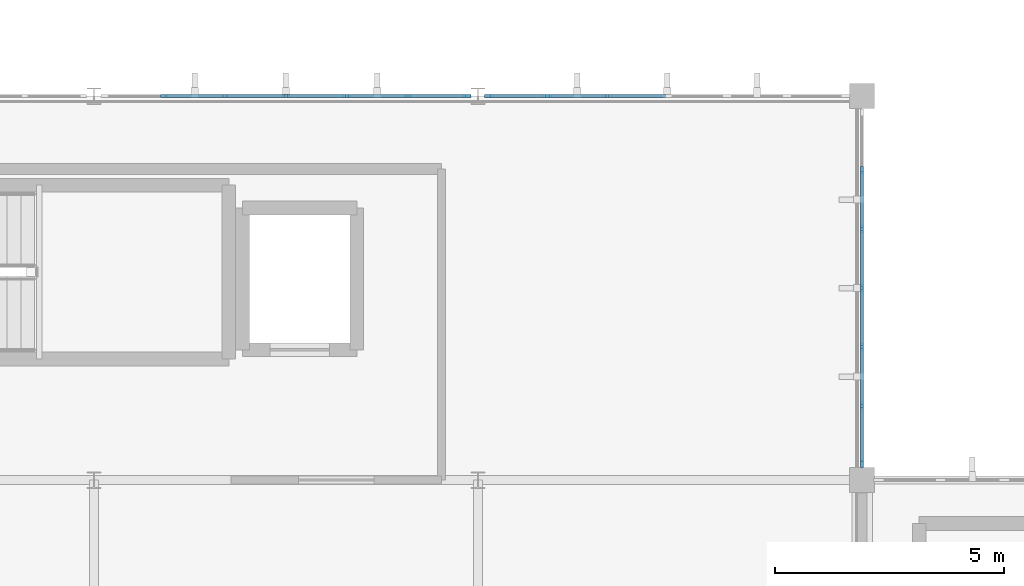
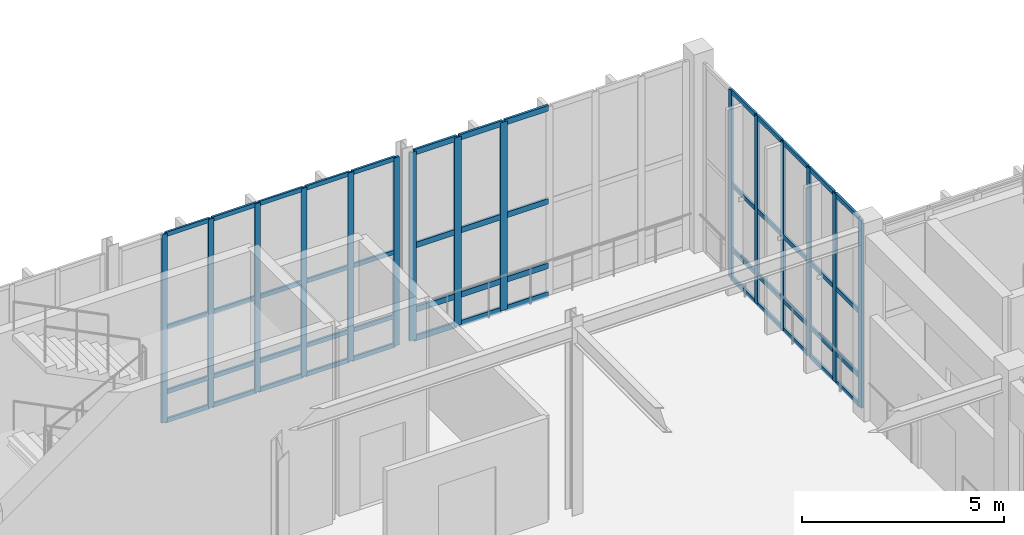
# One storey, part 38 of 105: 67 members, 3 elements without a shape of their own.
"""IFC4 building model written with IfcOpenShell, lengths in metres."""

from ifc_helpers import new_model, si_unit, direction, frame, origin, origin_2d, place, context, subcontext, project, spatial, rectangle, extrude, material, material_profile, profile_set, type_object, element, aggregate, save


model = new_model("IFC4")

# Units and contexts
model_context = context("Model", 3, precision=1e-05, world=origin(), true_north=direction((0.0, 1.0)))
body_context = subcontext(model_context, "Body", "Model", "MODEL_VIEW")
ifc_project = project(units=[si_unit("LENGTHUNIT", "METRE"), si_unit("AREAUNIT", "SQUARE_METRE"), si_unit("VOLUMEUNIT", "CUBIC_METRE"), si_unit("PLANEANGLEUNIT", "RADIAN"), si_unit("MASSUNIT", "GRAM", prefix="KILO")], contexts=[model_context])

# Site, building, storey
site_placement = place(None, origin())
site = spatial("IfcSite", under=ifc_project, at=site_placement, CompositionType="ELEMENT")
building_placement = place(site_placement, origin())
building = spatial("IfcBuilding", under=site, at=building_placement, Name="Tizgana Railside Sports Hall", CompositionType="ELEMENT")
storey_placement = place(building_placement, frame((0.0, 0.0, 6.0)))
storey = spatial("IfcBuildingStorey", under=building, at=storey_placement, Name="L01", CompositionType="ELEMENT", Elevation=6.0)

# Curtain wall, members
ifc_material_1 = material(Name="Anodised aluminium and glass", Category="aluminium")
curtain_wall_type_1 = type_object("IfcCurtainWallType", Name="Unitised Curtain Wall Passage 1800", PredefinedType="NOTDEFINED", material=ifc_material_1)
curtain_wall_1_placement = place(storey_placement, origin())
curtain_wall_1 = element("IfcCurtainWall", 1, at=curtain_wall_1_placement, inside=storey, type_object=curtain_wall_type_1, Name="L01 Curtain Wall CW-0037", PredefinedType="NOTDEFINED")
ifc_material_2 = material(Name="Anodised aluminium", Category="aluminium")
ifc_material_profile_1 = material_profile(ifc_material_2, rectangle(XDim=0.06005859375, YDim=0.159912109375, at=origin_2d()), Name="Mullion 60x160")
ifc_profile_set_1 = profile_set([ifc_material_profile_1], Name="Anodised aluminium")
member_type_1 = type_object("IfcMemberType", Name="Mullion 60x160", PredefinedType="MULLION", material=ifc_profile_set_1)
member_1_placement = place(storey_placement, frame((64.53662109375, 88.800048828125, 0.0), z_axis=(0.0, 0.0, 1.0), x_axis=(0.0, 1.0, 0.0)))
member_1 = element("IfcMember", 2, at=member_1_placement, type_object=member_type_1, Name="CW-06 mullion 2", PredefinedType="MULLION", context=body_context, shape_type="SweptSolid", body=[
    extrude(rectangle(XDim=0.06005859375, YDim=0.159912109375, at=origin_2d()), origin(), (0.0, 0.0, 1.0), 5.68994140625),
])
member_2_placement = place(storey_placement, frame((65.868408203125, 88.800048828125, 0.0), z_axis=(0.0, 0.0, 1.0), x_axis=(0.0, 1.0, 0.0)))
member_2 = element("IfcMember", 3, at=member_2_placement, type_object=member_type_1, Name="CW-06 mullion 3", PredefinedType="MULLION", context=body_context, shape_type="SweptSolid", body=[
    extrude(rectangle(XDim=0.06005859375, YDim=0.159912109375, at=origin_2d()), origin(), (0.0, 0.0, 1.0), 5.68994140625),
])
member_3_placement = place(storey_placement, frame((67.199951171875, 88.800048828125, 0.0), z_axis=(0.0, 0.0, 1.0), x_axis=(0.0, 1.0, 0.0)))
member_3 = element("IfcMember", 4, at=member_3_placement, type_object=member_type_1, Name="CW-06 mullion 4", PredefinedType="MULLION", context=body_context, shape_type="SweptSolid", body=[
    extrude(rectangle(XDim=0.06005859375, YDim=0.159912109375, at=origin_2d()), origin(), (0.0, 0.0, 1.0), 5.68994140625),
])
member_4_placement = place(storey_placement, frame((68.53173828125, 88.800048828125, 0.0), z_axis=(0.0, 0.0, 1.0), x_axis=(0.0, 1.0, 0.0)))
member_4 = element("IfcMember", 5, at=member_4_placement, type_object=member_type_1, Name="CW-06 mullion 5", PredefinedType="MULLION", context=body_context, shape_type="SweptSolid", body=[
    extrude(rectangle(XDim=0.06005859375, YDim=0.159912109375, at=origin_2d()), origin(), (0.0, 0.0, 1.0), 5.68994140625),
])
member_5_placement = place(storey_placement, frame((69.86328125, 88.800048828125, 0.0), z_axis=(0.0, 0.0, 1.0), x_axis=(0.0, 1.0, 0.0)))
member_5 = element("IfcMember", 6, at=member_5_placement, type_object=member_type_1, Name="CW-06 mullion 6", PredefinedType="MULLION", context=body_context, shape_type="SweptSolid", body=[
    extrude(rectangle(XDim=0.06005859375, YDim=0.159912109375, at=origin_2d()), origin(), (0.0, 0.0, 1.0), 5.68994140625),
])
member_6_placement = place(storey_placement, frame((71.1650390625, 88.800048828125, 0.0), z_axis=(0.0, 0.0, 1.0), x_axis=(0.0, 1.0, 0.0)))
member_6 = element("IfcMember", 7, at=member_6_placement, type_object=member_type_1, Name="CW-06 mullion 7", PredefinedType="MULLION", context=body_context, shape_type="SweptSolid", body=[
    extrude(rectangle(XDim=0.06005859375, YDim=0.159912109375, at=origin_2d()), origin(), (0.0, 0.0, 1.0), 5.68994140625),
])

curtain_wall_type_2 = type_object("IfcCurtainWallType", Name="Unitised Curtain Wall Foyer 1300", PredefinedType="NOTDEFINED", material=ifc_material_1)
curtain_wall_2_placement = place(storey_placement, origin())
curtain_wall_2 = element("IfcCurtainWall", 8, at=curtain_wall_2_placement, inside=storey, type_object=curtain_wall_type_2, Name="L01 Curtain Wall CW-0169", PredefinedType="NOTDEFINED")
member_7_placement = place(storey_placement, frame((79.800048828125, 80.760009765625, 0.0), z_axis=(0.0, 0.0, 1.0), x_axis=(-1.0, 0.0, 0.0)))
member_7 = element("IfcMember", 9, at=member_7_placement, type_object=member_type_1, Name="CW-02 mullion 1", PredefinedType="MULLION", context=body_context, shape_type="SweptSolid", body=[
    extrude(rectangle(XDim=0.06005859375, YDim=0.159912109375, at=origin_2d()), origin(), (0.0, 0.0, 1.0), 5.68994140625),
])
member_8_placement = place(storey_placement, frame((79.800048828125, 82.02001953125, 0.0), z_axis=(0.0, 0.0, 1.0), x_axis=(-1.0, 0.0, 0.0)))
member_8 = element("IfcMember", 10, at=member_8_placement, type_object=member_type_1, Name="CW-02 mullion 2", PredefinedType="MULLION", context=body_context, shape_type="SweptSolid", body=[
    extrude(rectangle(XDim=0.06005859375, YDim=0.159912109375, at=origin_2d()), origin(), (0.0, 0.0, 1.0), 5.68994140625),
])
member_9_placement = place(storey_placement, frame((79.800048828125, 83.31005859375, 0.0), z_axis=(0.0, 0.0, 1.0), x_axis=(-1.0, 0.0, 0.0)))
member_9 = element("IfcMember", 11, at=member_9_placement, type_object=member_type_1, Name="CW-02 mullion 3", PredefinedType="MULLION", context=body_context, shape_type="SweptSolid", body=[
    extrude(rectangle(XDim=0.06005859375, YDim=0.159912109375, at=origin_2d()), origin(), (0.0, 0.0, 1.0), 5.68994140625),
])
member_10_placement = place(storey_placement, frame((79.800048828125, 84.60009765625, 0.0), z_axis=(0.0, 0.0, 1.0), x_axis=(-1.0, 0.0, 0.0)))
member_10 = element("IfcMember", 12, at=member_10_placement, type_object=member_type_1, Name="CW-02 mullion 4", PredefinedType="MULLION", context=body_context, shape_type="SweptSolid", body=[
    extrude(rectangle(XDim=0.06005859375, YDim=0.159912109375, at=origin_2d()), origin(), (0.0, 0.0, 1.0), 5.68994140625),
])
member_11_placement = place(storey_placement, frame((79.800048828125, 85.889892578125, 0.0), z_axis=(0.0, 0.0, 1.0), x_axis=(-1.0, 0.0, 0.0)))
member_11 = element("IfcMember", 13, at=member_11_placement, type_object=member_type_1, Name="CW-02 mullion 5", PredefinedType="MULLION", context=body_context, shape_type="SweptSolid", body=[
    extrude(rectangle(XDim=0.06005859375, YDim=0.159912109375, at=origin_2d()), origin(), (0.0, 0.0, 1.0), 5.68994140625),
])
member_12_placement = place(storey_placement, frame((79.800048828125, 87.179931640625, 0.0), z_axis=(0.0, 0.0, 1.0), x_axis=(-1.0, 0.0, 0.0)))
member_12 = element("IfcMember", 14, at=member_12_placement, type_object=member_type_1, Name="CW-02 mullion 6", PredefinedType="MULLION", context=body_context, shape_type="SweptSolid", body=[
    extrude(rectangle(XDim=0.06005859375, YDim=0.159912109375, at=origin_2d()), origin(), (0.0, 0.0, 1.0), 5.68994140625),
])

curtain_wall_type_3 = type_object("IfcCurtainWallType", Name="Unitised Curtain Wall EastHall 1500", PredefinedType="NOTDEFINED", material=ifc_material_1)
curtain_wall_3_placement = place(storey_placement, origin())
curtain_wall_3 = element("IfcCurtainWall", 15, at=curtain_wall_3_placement, inside=storey, type_object=curtain_wall_type_3, Name="L01 Curtain Wall CW-0039", PredefinedType="NOTDEFINED")
ifc_material_profile_2 = material_profile(ifc_material_2, rectangle(XDim=0.06494140625, YDim=0.199951171875, at=origin_2d()), Name="Mullion 65x200")
ifc_profile_set_2 = profile_set([ifc_material_profile_2], Name="Anodised aluminium")
member_type_2 = type_object("IfcMemberType", Name="Mullion 65x200", PredefinedType="MULLION", material=ifc_profile_set_2)
member_13_placement = place(storey_placement, frame((71.637451171875, 88.800048828125, 0.0), z_axis=(0.0, 0.0, 1.0), x_axis=(0.0, 1.0, 0.0)))
member_13 = element("IfcMember", 16, at=member_13_placement, type_object=member_type_2, Name="CW-08 mullion 1", PredefinedType="MULLION", context=body_context, shape_type="SweptSolid", body=[
    extrude(rectangle(XDim=0.06494140625, YDim=0.199951171875, at=origin_2d()), origin(), (0.0, 0.0, 1.0), 5.68994140625),
])
member_14_placement = place(storey_placement, frame((72.915771484375, 88.800048828125, 0.0), z_axis=(0.0, 0.0, 1.0), x_axis=(0.0, 1.0, 0.0)))
member_14 = element("IfcMember", 17, at=member_14_placement, type_object=member_type_2, Name="CW-08 mullion 2", PredefinedType="MULLION", context=body_context, shape_type="SweptSolid", body=[
    extrude(rectangle(XDim=0.06494140625, YDim=0.199951171875, at=origin_2d()), origin(), (0.0, 0.0, 1.0), 5.68994140625),
])
member_15_placement = place(storey_placement, frame((74.2265625, 88.800048828125, 0.0), z_axis=(0.0, 0.0, 1.0), x_axis=(0.0, 1.0, 0.0)))
member_15 = element("IfcMember", 18, at=member_15_placement, type_object=member_type_2, Name="CW-08 mullion 3", PredefinedType="MULLION", context=body_context, shape_type="SweptSolid", body=[
    extrude(rectangle(XDim=0.06494140625, YDim=0.199951171875, at=origin_2d()), origin(), (0.0, 0.0, 1.0), 5.68994140625),
])

# Member
ifc_material_profile_3 = material_profile(ifc_material_2, rectangle(XDim=0.06005859375, YDim=0.1298828125, at=origin_2d()), Name="Transom 60x130")
ifc_profile_set_3 = profile_set([ifc_material_profile_3], Name="Anodised aluminium")
member_type_3 = type_object("IfcMemberType", Name="Transom 60x130", PredefinedType="USERDEFINED", material=ifc_profile_set_3)
member_16_placement = place(storey_placement, frame((64.566650390625, 88.800048828125, 0.030029296875), z_axis=(1.0, 0.0, 0.0), x_axis=(0.0, 1.0, 0.0)))
member_16 = element("IfcMember", 19, at=member_16_placement, type_object=member_type_3, Name="CW-06 transom 2.1", ObjectType="TRANSOM", PredefinedType="USERDEFINED", context=body_context, shape_type="SweptSolid", body=[
    extrude(rectangle(XDim=0.06005859375, YDim=0.1298828125, at=origin_2d()), origin(), (0.0, 0.0, 1.0), 1.271728515625),
])

member_17_placement = place(storey_placement, frame((64.566650390625, 88.800048828125, 0.89990234375), z_axis=(1.0, 0.0, 0.0), x_axis=(0.0, 1.0, 0.0)))
member_17 = element("IfcMember", 20, at=member_17_placement, type_object=member_type_3, Name="CW-06 transom 2.2", ObjectType="TRANSOM", PredefinedType="USERDEFINED", context=body_context, shape_type="SweptSolid", body=[
    extrude(rectangle(XDim=0.06005859375, YDim=0.1298828125, at=origin_2d()), origin(), (0.0, 0.0, 1.0), 1.271728515625),
])

member_18_placement = place(storey_placement, frame((64.566650390625, 88.800048828125, 2.844970703125), z_axis=(1.0, 0.0, 0.0), x_axis=(0.0, 1.0, 0.0)))
member_18 = element("IfcMember", 21, at=member_18_placement, type_object=member_type_3, Name="CW-06 transom 2.3", ObjectType="TRANSOM", PredefinedType="USERDEFINED", context=body_context, shape_type="SweptSolid", body=[
    extrude(rectangle(XDim=0.06005859375, YDim=0.1298828125, at=origin_2d()), origin(), (0.0, 0.0, 1.0), 1.271728515625),
])

member_19_placement = place(storey_placement, frame((64.566650390625, 88.800048828125, 5.659912109375), z_axis=(1.0, 0.0, 0.0), x_axis=(0.0, 1.0, 0.0)))
member_19 = element("IfcMember", 22, at=member_19_placement, type_object=member_type_3, Name="CW-06 transom 2.4", ObjectType="TRANSOM", PredefinedType="USERDEFINED", context=body_context, shape_type="SweptSolid", body=[
    extrude(rectangle(XDim=0.06005859375, YDim=0.1298828125, at=origin_2d()), origin(), (0.0, 0.0, 1.0), 1.271728515625),
])

member_20_placement = place(storey_placement, frame((65.8984375, 88.800048828125, 0.030029296875), z_axis=(1.0, 0.0, 0.0), x_axis=(0.0, 1.0, 0.0)))
member_20 = element("IfcMember", 23, at=member_20_placement, type_object=member_type_3, Name="CW-06 transom 3.1", ObjectType="TRANSOM", PredefinedType="USERDEFINED", context=body_context, shape_type="SweptSolid", body=[
    extrude(rectangle(XDim=0.06005859375, YDim=0.1298828125, at=origin_2d()), origin(), (0.0, 0.0, 1.0), 1.271484375),
])

member_21_placement = place(storey_placement, frame((65.8984375, 88.800048828125, 0.89990234375), z_axis=(1.0, 0.0, 0.0), x_axis=(0.0, 1.0, 0.0)))
member_21 = element("IfcMember", 24, at=member_21_placement, type_object=member_type_3, Name="CW-06 transom 3.2", ObjectType="TRANSOM", PredefinedType="USERDEFINED", context=body_context, shape_type="SweptSolid", body=[
    extrude(rectangle(XDim=0.06005859375, YDim=0.1298828125, at=origin_2d()), origin(), (0.0, 0.0, 1.0), 1.271484375),
])

member_22_placement = place(storey_placement, frame((65.8984375, 88.800048828125, 2.844970703125), z_axis=(1.0, 0.0, 0.0), x_axis=(0.0, 1.0, 0.0)))
member_22 = element("IfcMember", 25, at=member_22_placement, type_object=member_type_3, Name="CW-06 transom 3.3", ObjectType="TRANSOM", PredefinedType="USERDEFINED", context=body_context, shape_type="SweptSolid", body=[
    extrude(rectangle(XDim=0.06005859375, YDim=0.1298828125, at=origin_2d()), origin(), (0.0, 0.0, 1.0), 1.271484375),
])

member_23_placement = place(storey_placement, frame((65.8984375, 88.800048828125, 5.659912109375), z_axis=(1.0, 0.0, 0.0), x_axis=(0.0, 1.0, 0.0)))
member_23 = element("IfcMember", 26, at=member_23_placement, type_object=member_type_3, Name="CW-06 transom 3.4", ObjectType="TRANSOM", PredefinedType="USERDEFINED", context=body_context, shape_type="SweptSolid", body=[
    extrude(rectangle(XDim=0.06005859375, YDim=0.1298828125, at=origin_2d()), origin(), (0.0, 0.0, 1.0), 1.271484375),
])

member_24_placement = place(storey_placement, frame((67.22998046875, 88.800048828125, 0.030029296875), z_axis=(1.0, 0.0, 0.0), x_axis=(0.0, 1.0, 0.0)))
member_24 = element("IfcMember", 27, at=member_24_placement, type_object=member_type_3, Name="CW-06 transom 4.1", ObjectType="TRANSOM", PredefinedType="USERDEFINED", context=body_context, shape_type="SweptSolid", body=[
    extrude(rectangle(XDim=0.06005859375, YDim=0.1298828125, at=origin_2d()), origin(), (0.0, 0.0, 1.0), 1.271728515625),
])

member_25_placement = place(storey_placement, frame((67.22998046875, 88.800048828125, 0.89990234375), z_axis=(1.0, 0.0, 0.0), x_axis=(0.0, 1.0, 0.0)))
member_25 = element("IfcMember", 28, at=member_25_placement, type_object=member_type_3, Name="CW-06 transom 4.2", ObjectType="TRANSOM", PredefinedType="USERDEFINED", context=body_context, shape_type="SweptSolid", body=[
    extrude(rectangle(XDim=0.06005859375, YDim=0.1298828125, at=origin_2d()), origin(), (0.0, 0.0, 1.0), 1.271728515625),
])

member_26_placement = place(storey_placement, frame((67.22998046875, 88.800048828125, 2.844970703125), z_axis=(1.0, 0.0, 0.0), x_axis=(0.0, 1.0, 0.0)))
member_26 = element("IfcMember", 29, at=member_26_placement, type_object=member_type_3, Name="CW-06 transom 4.3", ObjectType="TRANSOM", PredefinedType="USERDEFINED", context=body_context, shape_type="SweptSolid", body=[
    extrude(rectangle(XDim=0.06005859375, YDim=0.1298828125, at=origin_2d()), origin(), (0.0, 0.0, 1.0), 1.271728515625),
])

member_27_placement = place(storey_placement, frame((67.22998046875, 88.800048828125, 5.659912109375), z_axis=(1.0, 0.0, 0.0), x_axis=(0.0, 1.0, 0.0)))
member_27 = element("IfcMember", 30, at=member_27_placement, type_object=member_type_3, Name="CW-06 transom 4.4", ObjectType="TRANSOM", PredefinedType="USERDEFINED", context=body_context, shape_type="SweptSolid", body=[
    extrude(rectangle(XDim=0.06005859375, YDim=0.1298828125, at=origin_2d()), origin(), (0.0, 0.0, 1.0), 1.271728515625),
])

member_28_placement = place(storey_placement, frame((68.561767578125, 88.800048828125, 0.030029296875), z_axis=(1.0, 0.0, 0.0), x_axis=(0.0, 1.0, 0.0)))
member_28 = element("IfcMember", 31, at=member_28_placement, type_object=member_type_3, Name="CW-06 transom 5.1", ObjectType="TRANSOM", PredefinedType="USERDEFINED", context=body_context, shape_type="SweptSolid", body=[
    extrude(rectangle(XDim=0.06005859375, YDim=0.1298828125, at=origin_2d()), origin(), (0.0, 0.0, 1.0), 1.271484375),
])

member_29_placement = place(storey_placement, frame((68.561767578125, 88.800048828125, 0.89990234375), z_axis=(1.0, 0.0, 0.0), x_axis=(0.0, 1.0, 0.0)))
member_29 = element("IfcMember", 32, at=member_29_placement, type_object=member_type_3, Name="CW-06 transom 5.2", ObjectType="TRANSOM", PredefinedType="USERDEFINED", context=body_context, shape_type="SweptSolid", body=[
    extrude(rectangle(XDim=0.06005859375, YDim=0.1298828125, at=origin_2d()), origin(), (0.0, 0.0, 1.0), 1.271484375),
])

member_30_placement = place(storey_placement, frame((68.561767578125, 88.800048828125, 2.844970703125), z_axis=(1.0, 0.0, 0.0), x_axis=(0.0, 1.0, 0.0)))
member_30 = element("IfcMember", 33, at=member_30_placement, type_object=member_type_3, Name="CW-06 transom 5.3", ObjectType="TRANSOM", PredefinedType="USERDEFINED", context=body_context, shape_type="SweptSolid", body=[
    extrude(rectangle(XDim=0.06005859375, YDim=0.1298828125, at=origin_2d()), origin(), (0.0, 0.0, 1.0), 1.271484375),
])

member_31_placement = place(storey_placement, frame((68.561767578125, 88.800048828125, 5.659912109375), z_axis=(1.0, 0.0, 0.0), x_axis=(0.0, 1.0, 0.0)))
member_31 = element("IfcMember", 34, at=member_31_placement, type_object=member_type_3, Name="CW-06 transom 5.4", ObjectType="TRANSOM", PredefinedType="USERDEFINED", context=body_context, shape_type="SweptSolid", body=[
    extrude(rectangle(XDim=0.06005859375, YDim=0.1298828125, at=origin_2d()), origin(), (0.0, 0.0, 1.0), 1.271484375),
])

member_32_placement = place(storey_placement, frame((69.893310546875, 88.800048828125, 0.030029296875), z_axis=(1.0, 0.0, 0.0), x_axis=(0.0, 1.0, 0.0)))
member_32 = element("IfcMember", 35, at=member_32_placement, type_object=member_type_3, Name="CW-06 transom 6.1", ObjectType="TRANSOM", PredefinedType="USERDEFINED", context=body_context, shape_type="SweptSolid", body=[
    extrude(rectangle(XDim=0.06005859375, YDim=0.1298828125, at=origin_2d()), origin(), (0.0, 0.0, 1.0), 1.24169921875),
])

member_33_placement = place(storey_placement, frame((69.893310546875, 88.800048828125, 0.89990234375), z_axis=(1.0, 0.0, 0.0), x_axis=(0.0, 1.0, 0.0)))
member_33 = element("IfcMember", 36, at=member_33_placement, type_object=member_type_3, Name="CW-06 transom 6.2", ObjectType="TRANSOM", PredefinedType="USERDEFINED", context=body_context, shape_type="SweptSolid", body=[
    extrude(rectangle(XDim=0.06005859375, YDim=0.1298828125, at=origin_2d()), origin(), (0.0, 0.0, 1.0), 1.24169921875),
])

member_34_placement = place(storey_placement, frame((69.893310546875, 88.800048828125, 2.844970703125), z_axis=(1.0, 0.0, 0.0), x_axis=(0.0, 1.0, 0.0)))
member_34 = element("IfcMember", 37, at=member_34_placement, type_object=member_type_3, Name="CW-06 transom 6.3", ObjectType="TRANSOM", PredefinedType="USERDEFINED", context=body_context, shape_type="SweptSolid", body=[
    extrude(rectangle(XDim=0.06005859375, YDim=0.1298828125, at=origin_2d()), origin(), (0.0, 0.0, 1.0), 1.24169921875),
])

member_35_placement = place(storey_placement, frame((69.893310546875, 88.800048828125, 5.659912109375), z_axis=(1.0, 0.0, 0.0), x_axis=(0.0, 1.0, 0.0)))
member_35 = element("IfcMember", 38, at=member_35_placement, type_object=member_type_3, Name="CW-06 transom 6.4", ObjectType="TRANSOM", PredefinedType="USERDEFINED", context=body_context, shape_type="SweptSolid", body=[
    extrude(rectangle(XDim=0.06005859375, YDim=0.1298828125, at=origin_2d()), origin(), (0.0, 0.0, 1.0), 1.24169921875),
])

aggregate(curtain_wall_1, [member_1, member_2, member_3, member_4, member_5, member_6, member_16, member_17, member_18, member_19, member_20, member_21, member_22, member_23, member_24, member_25, member_26, member_27, member_28, member_29, member_30, member_31, member_32, member_33, member_34, member_35])

member_36_placement = place(storey_placement, frame((79.800048828125, 80.7900390625, 0.030029296875), z_axis=(0.0, 1.0, 0.0), x_axis=(-1.0, 0.0, 0.0)))
member_36 = element("IfcMember", 39, at=member_36_placement, type_object=member_type_3, Name="CW-02 transom 1.1", ObjectType="TRANSOM", PredefinedType="USERDEFINED", context=body_context, shape_type="SweptSolid", body=[
    extrude(rectangle(XDim=0.06005859375, YDim=0.1298828125, at=origin_2d()), origin(), (0.0, 0.0, 1.0), 1.199951171875),
])

member_37_placement = place(storey_placement, frame((79.800048828125, 80.7900390625, 0.89990234375), z_axis=(0.0, 1.0, 0.0), x_axis=(-1.0, 0.0, 0.0)))
member_37 = element("IfcMember", 40, at=member_37_placement, type_object=member_type_3, Name="CW-02 transom 1.2", ObjectType="TRANSOM", PredefinedType="USERDEFINED", context=body_context, shape_type="SweptSolid", body=[
    extrude(rectangle(XDim=0.06005859375, YDim=0.1298828125, at=origin_2d()), origin(), (0.0, 0.0, 1.0), 1.199951171875),
])

member_38_placement = place(storey_placement, frame((79.800048828125, 80.7900390625, 2.844970703125), z_axis=(0.0, 1.0, 0.0), x_axis=(-1.0, 0.0, 0.0)))
member_38 = element("IfcMember", 41, at=member_38_placement, type_object=member_type_3, Name="CW-02 transom 1.3", ObjectType="TRANSOM", PredefinedType="USERDEFINED", context=body_context, shape_type="SweptSolid", body=[
    extrude(rectangle(XDim=0.06005859375, YDim=0.1298828125, at=origin_2d()), origin(), (0.0, 0.0, 1.0), 1.199951171875),
])

member_39_placement = place(storey_placement, frame((79.800048828125, 80.7900390625, 5.659912109375), z_axis=(0.0, 1.0, 0.0), x_axis=(-1.0, 0.0, 0.0)))
member_39 = element("IfcMember", 42, at=member_39_placement, type_object=member_type_3, Name="CW-02 transom 1.4", ObjectType="TRANSOM", PredefinedType="USERDEFINED", context=body_context, shape_type="SweptSolid", body=[
    extrude(rectangle(XDim=0.06005859375, YDim=0.1298828125, at=origin_2d()), origin(), (0.0, 0.0, 1.0), 1.199951171875),
])

member_40_placement = place(storey_placement, frame((79.800048828125, 82.050048828125, 0.030029296875), z_axis=(0.0, 1.0, 0.0), x_axis=(-1.0, 0.0, 0.0)))
member_40 = element("IfcMember", 43, at=member_40_placement, type_object=member_type_3, Name="CW-02 transom 2.1", ObjectType="TRANSOM", PredefinedType="USERDEFINED", context=body_context, shape_type="SweptSolid", body=[
    extrude(rectangle(XDim=0.06005859375, YDim=0.1298828125, at=origin_2d()), origin(), (0.0, 0.0, 1.0), 1.22998046875),
])

member_41_placement = place(storey_placement, frame((79.800048828125, 82.050048828125, 0.89990234375), z_axis=(0.0, 1.0, 0.0), x_axis=(-1.0, 0.0, 0.0)))
member_41 = element("IfcMember", 44, at=member_41_placement, type_object=member_type_3, Name="CW-02 transom 2.2", ObjectType="TRANSOM", PredefinedType="USERDEFINED", context=body_context, shape_type="SweptSolid", body=[
    extrude(rectangle(XDim=0.06005859375, YDim=0.1298828125, at=origin_2d()), origin(), (0.0, 0.0, 1.0), 1.22998046875),
])

member_42_placement = place(storey_placement, frame((79.800048828125, 82.050048828125, 2.844970703125), z_axis=(0.0, 1.0, 0.0), x_axis=(-1.0, 0.0, 0.0)))
member_42 = element("IfcMember", 45, at=member_42_placement, type_object=member_type_3, Name="CW-02 transom 2.3", ObjectType="TRANSOM", PredefinedType="USERDEFINED", context=body_context, shape_type="SweptSolid", body=[
    extrude(rectangle(XDim=0.06005859375, YDim=0.1298828125, at=origin_2d()), origin(), (0.0, 0.0, 1.0), 1.22998046875),
])

member_43_placement = place(storey_placement, frame((79.800048828125, 82.050048828125, 5.659912109375), z_axis=(0.0, 1.0, 0.0), x_axis=(-1.0, 0.0, 0.0)))
member_43 = element("IfcMember", 46, at=member_43_placement, type_object=member_type_3, Name="CW-02 transom 2.4", ObjectType="TRANSOM", PredefinedType="USERDEFINED", context=body_context, shape_type="SweptSolid", body=[
    extrude(rectangle(XDim=0.06005859375, YDim=0.1298828125, at=origin_2d()), origin(), (0.0, 0.0, 1.0), 1.22998046875),
])

member_44_placement = place(storey_placement, frame((79.800048828125, 83.340087890625, 0.030029296875), z_axis=(0.0, 1.0, 0.0), x_axis=(-1.0, 0.0, 0.0)))
member_44 = element("IfcMember", 47, at=member_44_placement, type_object=member_type_3, Name="CW-02 transom 3.1", ObjectType="TRANSOM", PredefinedType="USERDEFINED", context=body_context, shape_type="SweptSolid", body=[
    extrude(rectangle(XDim=0.06005859375, YDim=0.1298828125, at=origin_2d()), origin(), (0.0, 0.0, 1.0), 1.22998046875),
])

member_45_placement = place(storey_placement, frame((79.800048828125, 83.340087890625, 0.89990234375), z_axis=(0.0, 1.0, 0.0), x_axis=(-1.0, 0.0, 0.0)))
member_45 = element("IfcMember", 48, at=member_45_placement, type_object=member_type_3, Name="CW-02 transom 3.2", ObjectType="TRANSOM", PredefinedType="USERDEFINED", context=body_context, shape_type="SweptSolid", body=[
    extrude(rectangle(XDim=0.06005859375, YDim=0.1298828125, at=origin_2d()), origin(), (0.0, 0.0, 1.0), 1.22998046875),
])

member_46_placement = place(storey_placement, frame((79.800048828125, 83.340087890625, 2.844970703125), z_axis=(0.0, 1.0, 0.0), x_axis=(-1.0, 0.0, 0.0)))
member_46 = element("IfcMember", 49, at=member_46_placement, type_object=member_type_3, Name="CW-02 transom 3.3", ObjectType="TRANSOM", PredefinedType="USERDEFINED", context=body_context, shape_type="SweptSolid", body=[
    extrude(rectangle(XDim=0.06005859375, YDim=0.1298828125, at=origin_2d()), origin(), (0.0, 0.0, 1.0), 1.22998046875),
])

member_47_placement = place(storey_placement, frame((79.800048828125, 83.340087890625, 5.659912109375), z_axis=(0.0, 1.0, 0.0), x_axis=(-1.0, 0.0, 0.0)))
member_47 = element("IfcMember", 50, at=member_47_placement, type_object=member_type_3, Name="CW-02 transom 3.4", ObjectType="TRANSOM", PredefinedType="USERDEFINED", context=body_context, shape_type="SweptSolid", body=[
    extrude(rectangle(XDim=0.06005859375, YDim=0.1298828125, at=origin_2d()), origin(), (0.0, 0.0, 1.0), 1.22998046875),
])

member_48_placement = place(storey_placement, frame((79.800048828125, 84.6298828125, 0.030029296875), z_axis=(0.0, 1.0, 0.0), x_axis=(-1.0, 0.0, 0.0)))
member_48 = element("IfcMember", 51, at=member_48_placement, type_object=member_type_3, Name="CW-02 transom 4.1", ObjectType="TRANSOM", PredefinedType="USERDEFINED", context=body_context, shape_type="SweptSolid", body=[
    extrude(rectangle(XDim=0.06005859375, YDim=0.1298828125, at=origin_2d()), origin(), (0.0, 0.0, 1.0), 1.230224609375),
])

member_49_placement = place(storey_placement, frame((79.800048828125, 84.6298828125, 0.89990234375), z_axis=(0.0, 1.0, 0.0), x_axis=(-1.0, 0.0, 0.0)))
member_49 = element("IfcMember", 52, at=member_49_placement, type_object=member_type_3, Name="CW-02 transom 4.2", ObjectType="TRANSOM", PredefinedType="USERDEFINED", context=body_context, shape_type="SweptSolid", body=[
    extrude(rectangle(XDim=0.06005859375, YDim=0.1298828125, at=origin_2d()), origin(), (0.0, 0.0, 1.0), 1.230224609375),
])

member_50_placement = place(storey_placement, frame((79.800048828125, 84.6298828125, 2.844970703125), z_axis=(0.0, 1.0, 0.0), x_axis=(-1.0, 0.0, 0.0)))
member_50 = element("IfcMember", 53, at=member_50_placement, type_object=member_type_3, Name="CW-02 transom 4.3", ObjectType="TRANSOM", PredefinedType="USERDEFINED", context=body_context, shape_type="SweptSolid", body=[
    extrude(rectangle(XDim=0.06005859375, YDim=0.1298828125, at=origin_2d()), origin(), (0.0, 0.0, 1.0), 1.230224609375),
])

member_51_placement = place(storey_placement, frame((79.800048828125, 84.6298828125, 5.659912109375), z_axis=(0.0, 1.0, 0.0), x_axis=(-1.0, 0.0, 0.0)))
member_51 = element("IfcMember", 54, at=member_51_placement, type_object=member_type_3, Name="CW-02 transom 4.4", ObjectType="TRANSOM", PredefinedType="USERDEFINED", context=body_context, shape_type="SweptSolid", body=[
    extrude(rectangle(XDim=0.06005859375, YDim=0.1298828125, at=origin_2d()), origin(), (0.0, 0.0, 1.0), 1.230224609375),
])

member_52_placement = place(storey_placement, frame((79.800048828125, 85.919921875, 0.030029296875), z_axis=(0.0, 1.0, 0.0), x_axis=(-1.0, 0.0, 0.0)))
member_52 = element("IfcMember", 55, at=member_52_placement, type_object=member_type_3, Name="CW-02 transom 5.1", ObjectType="TRANSOM", PredefinedType="USERDEFINED", context=body_context, shape_type="SweptSolid", body=[
    extrude(rectangle(XDim=0.06005859375, YDim=0.1298828125, at=origin_2d()), origin(), (0.0, 0.0, 1.0), 1.22998046875),
])

member_53_placement = place(storey_placement, frame((79.800048828125, 85.919921875, 0.89990234375), z_axis=(0.0, 1.0, 0.0), x_axis=(-1.0, 0.0, 0.0)))
member_53 = element("IfcMember", 56, at=member_53_placement, type_object=member_type_3, Name="CW-02 transom 5.2", ObjectType="TRANSOM", PredefinedType="USERDEFINED", context=body_context, shape_type="SweptSolid", body=[
    extrude(rectangle(XDim=0.06005859375, YDim=0.1298828125, at=origin_2d()), origin(), (0.0, 0.0, 1.0), 1.22998046875),
])

member_54_placement = place(storey_placement, frame((79.800048828125, 85.919921875, 2.844970703125), z_axis=(0.0, 1.0, 0.0), x_axis=(-1.0, 0.0, 0.0)))
member_54 = element("IfcMember", 57, at=member_54_placement, type_object=member_type_3, Name="CW-02 transom 5.3", ObjectType="TRANSOM", PredefinedType="USERDEFINED", context=body_context, shape_type="SweptSolid", body=[
    extrude(rectangle(XDim=0.06005859375, YDim=0.1298828125, at=origin_2d()), origin(), (0.0, 0.0, 1.0), 1.22998046875),
])

member_55_placement = place(storey_placement, frame((79.800048828125, 85.919921875, 5.659912109375), z_axis=(0.0, 1.0, 0.0), x_axis=(-1.0, 0.0, 0.0)))
member_55 = element("IfcMember", 58, at=member_55_placement, type_object=member_type_3, Name="CW-02 transom 5.4", ObjectType="TRANSOM", PredefinedType="USERDEFINED", context=body_context, shape_type="SweptSolid", body=[
    extrude(rectangle(XDim=0.06005859375, YDim=0.1298828125, at=origin_2d()), origin(), (0.0, 0.0, 1.0), 1.22998046875),
])

aggregate(curtain_wall_2, [member_7, member_8, member_9, member_10, member_11, member_12, member_36, member_37, member_38, member_39, member_40, member_41, member_42, member_43, member_44, member_45, member_46, member_47, member_48, member_49, member_50, member_51, member_52, member_53, member_54, member_55])

ifc_material_profile_4 = material_profile(ifc_material_2, rectangle(XDim=0.06494140625, YDim=0.169921875, at=origin_2d()), Name="Transom 65x170")
ifc_profile_set_4 = profile_set([ifc_material_profile_4], Name="Anodised aluminium")
member_type_4 = type_object("IfcMemberType", Name="Transom 65x170", PredefinedType="USERDEFINED", material=ifc_profile_set_4)
member_56_placement = place(storey_placement, frame((71.669921875, 88.800048828125, 0.032470703125), z_axis=(1.0, 0.0, 0.0), x_axis=(0.0, 1.0, 0.0)))
member_56 = element("IfcMember", 59, at=member_56_placement, type_object=member_type_4, Name="CW-08 transom 1.1", ObjectType="TRANSOM", PredefinedType="USERDEFINED", context=body_context, shape_type="SweptSolid", body=[
    extrude(rectangle(XDim=0.06494140625, YDim=0.169921875, at=origin_2d()), origin(), (0.0, 0.0, 1.0), 1.21337890625),
])

member_57_placement = place(storey_placement, frame((71.669921875, 88.800048828125, 0.89990234375), z_axis=(1.0, 0.0, 0.0), x_axis=(0.0, 1.0, 0.0)))
member_57 = element("IfcMember", 60, at=member_57_placement, type_object=member_type_4, Name="CW-08 transom 1.2", ObjectType="TRANSOM", PredefinedType="USERDEFINED", context=body_context, shape_type="SweptSolid", body=[
    extrude(rectangle(XDim=0.06494140625, YDim=0.169921875, at=origin_2d()), origin(), (0.0, 0.0, 1.0), 1.21337890625),
])

member_58_placement = place(storey_placement, frame((71.669921875, 88.800048828125, 2.844970703125), z_axis=(1.0, 0.0, 0.0), x_axis=(0.0, 1.0, 0.0)))
member_58 = element("IfcMember", 61, at=member_58_placement, type_object=member_type_4, Name="CW-08 transom 1.3", ObjectType="TRANSOM", PredefinedType="USERDEFINED", context=body_context, shape_type="SweptSolid", body=[
    extrude(rectangle(XDim=0.06494140625, YDim=0.169921875, at=origin_2d()), origin(), (0.0, 0.0, 1.0), 1.21337890625),
])

member_59_placement = place(storey_placement, frame((71.669921875, 88.800048828125, 5.657470703125), z_axis=(1.0, 0.0, 0.0), x_axis=(0.0, 1.0, 0.0)))
member_59 = element("IfcMember", 62, at=member_59_placement, type_object=member_type_4, Name="CW-08 transom 1.4", ObjectType="TRANSOM", PredefinedType="USERDEFINED", context=body_context, shape_type="SweptSolid", body=[
    extrude(rectangle(XDim=0.06494140625, YDim=0.169921875, at=origin_2d()), origin(), (0.0, 0.0, 1.0), 1.21337890625),
])

member_60_placement = place(storey_placement, frame((72.9482421875, 88.800048828125, 0.032470703125), z_axis=(1.0, 0.0, 0.0), x_axis=(0.0, 1.0, 0.0)))
member_60 = element("IfcMember", 63, at=member_60_placement, type_object=member_type_4, Name="CW-08 transom 2.1", ObjectType="TRANSOM", PredefinedType="USERDEFINED", context=body_context, shape_type="SweptSolid", body=[
    extrude(rectangle(XDim=0.06494140625, YDim=0.169921875, at=origin_2d()), origin(), (0.0, 0.0, 1.0), 1.245849609375),
])

member_61_placement = place(storey_placement, frame((72.9482421875, 88.800048828125, 0.89990234375), z_axis=(1.0, 0.0, 0.0), x_axis=(0.0, 1.0, 0.0)))
member_61 = element("IfcMember", 64, at=member_61_placement, type_object=member_type_4, Name="CW-08 transom 2.2", ObjectType="TRANSOM", PredefinedType="USERDEFINED", context=body_context, shape_type="SweptSolid", body=[
    extrude(rectangle(XDim=0.06494140625, YDim=0.169921875, at=origin_2d()), origin(), (0.0, 0.0, 1.0), 1.245849609375),
])

member_62_placement = place(storey_placement, frame((72.9482421875, 88.800048828125, 2.844970703125), z_axis=(1.0, 0.0, 0.0), x_axis=(0.0, 1.0, 0.0)))
member_62 = element("IfcMember", 65, at=member_62_placement, type_object=member_type_4, Name="CW-08 transom 2.3", ObjectType="TRANSOM", PredefinedType="USERDEFINED", context=body_context, shape_type="SweptSolid", body=[
    extrude(rectangle(XDim=0.06494140625, YDim=0.169921875, at=origin_2d()), origin(), (0.0, 0.0, 1.0), 1.245849609375),
])

member_63_placement = place(storey_placement, frame((72.9482421875, 88.800048828125, 5.657470703125), z_axis=(1.0, 0.0, 0.0), x_axis=(0.0, 1.0, 0.0)))
member_63 = element("IfcMember", 66, at=member_63_placement, type_object=member_type_4, Name="CW-08 transom 2.4", ObjectType="TRANSOM", PredefinedType="USERDEFINED", context=body_context, shape_type="SweptSolid", body=[
    extrude(rectangle(XDim=0.06494140625, YDim=0.169921875, at=origin_2d()), origin(), (0.0, 0.0, 1.0), 1.245849609375),
])

member_64_placement = place(storey_placement, frame((74.25927734375, 88.800048828125, 0.032470703125), z_axis=(1.0, 0.0, 0.0), x_axis=(0.0, 1.0, 0.0)))
member_64 = element("IfcMember", 67, at=member_64_placement, type_object=member_type_4, Name="CW-08 transom 3.1", ObjectType="TRANSOM", PredefinedType="USERDEFINED", context=body_context, shape_type="SweptSolid", body=[
    extrude(rectangle(XDim=0.06494140625, YDim=0.169921875, at=origin_2d()), origin(), (0.0, 0.0, 1.0), 1.24560546875),
])

member_65_placement = place(storey_placement, frame((74.25927734375, 88.800048828125, 0.89990234375), z_axis=(1.0, 0.0, 0.0), x_axis=(0.0, 1.0, 0.0)))
member_65 = element("IfcMember", 68, at=member_65_placement, type_object=member_type_4, Name="CW-08 transom 3.2", ObjectType="TRANSOM", PredefinedType="USERDEFINED", context=body_context, shape_type="SweptSolid", body=[
    extrude(rectangle(XDim=0.06494140625, YDim=0.169921875, at=origin_2d()), origin(), (0.0, 0.0, 1.0), 1.24560546875),
])

member_66_placement = place(storey_placement, frame((74.25927734375, 88.800048828125, 2.844970703125), z_axis=(1.0, 0.0, 0.0), x_axis=(0.0, 1.0, 0.0)))
member_66 = element("IfcMember", 69, at=member_66_placement, type_object=member_type_4, Name="CW-08 transom 3.3", ObjectType="TRANSOM", PredefinedType="USERDEFINED", context=body_context, shape_type="SweptSolid", body=[
    extrude(rectangle(XDim=0.06494140625, YDim=0.169921875, at=origin_2d()), origin(), (0.0, 0.0, 1.0), 1.24560546875),
])

member_67_placement = place(storey_placement, frame((74.25927734375, 88.800048828125, 5.657470703125), z_axis=(1.0, 0.0, 0.0), x_axis=(0.0, 1.0, 0.0)))
member_67 = element("IfcMember", 70, at=member_67_placement, type_object=member_type_4, Name="CW-08 transom 3.4", ObjectType="TRANSOM", PredefinedType="USERDEFINED", context=body_context, shape_type="SweptSolid", body=[
    extrude(rectangle(XDim=0.06494140625, YDim=0.169921875, at=origin_2d()), origin(), (0.0, 0.0, 1.0), 1.24560546875),
])

aggregate(curtain_wall_3, [member_13, member_14, member_15, member_56, member_57, member_58, member_59, member_60, member_61, member_62, member_63, member_64, member_65, member_66, member_67])

save(model, "model.ifc")
